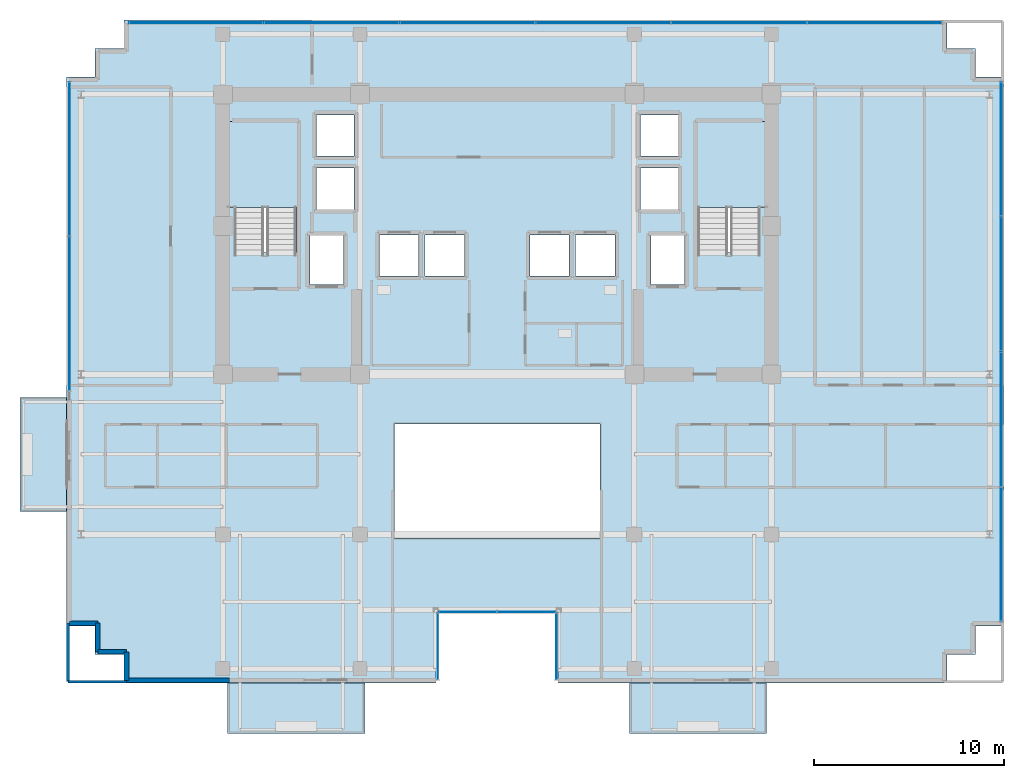
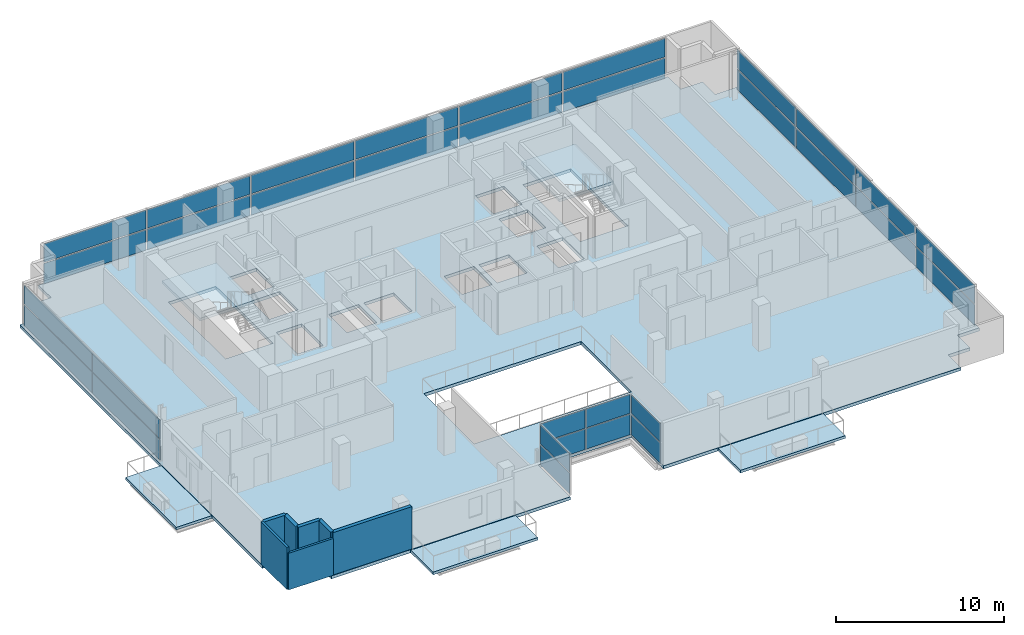
# One storey, part 14 of 21: 32 plates, 7 walls, 6 slabs, 8 elements without a shape of their own.
"""IFC4 building model written with IfcOpenShell, lengths in metres."""

from ifc_helpers import new_model, si_unit, direction, frame, frame_2d, origin, origin_2d, place, context, subcontext, project, spatial, polyline, rectangle, outline, extrude, source, transform, mapped, material, layer, layer_set, type_object, element, aggregate, save


model = new_model("IFC4")

# Units and contexts
model_context = context("Model", 3, precision=1e-05, world=origin(), true_north=direction((0.0, 1.0)))
body_context = subcontext(model_context, "Body", "Model", "MODEL_VIEW")
ifc_project = project(units=[si_unit("LENGTHUNIT", "METRE"), si_unit("AREAUNIT", "SQUARE_METRE"), si_unit("VOLUMEUNIT", "CUBIC_METRE"), si_unit("PLANEANGLEUNIT", "RADIAN"), si_unit("MASSUNIT", "GRAM", prefix="KILO")], contexts=[model_context])

# Site, building, storey
site_placement = place(None, origin())
site = spatial("IfcSite", under=ifc_project, at=site_placement, CompositionType="ELEMENT")
building_placement = place(site_placement, origin())
building = spatial("IfcBuilding", under=site, at=building_placement, Name="Zarnakvel Exchange Tower", CompositionType="ELEMENT")
storey_placement = place(building_placement, frame((0.0, 0.0, 185.800048828125)))
storey = spatial("IfcBuildingStorey", under=building, at=storey_placement, Name="L52", CompositionType="ELEMENT", Elevation=185.800048828125)

# Stair, slab
ifc_material_1 = material(Name="Concrete C40/50", Category="concrete")
stair_type = type_object("IfcStairType", Name="STR-01", PredefinedType="HALF_TURN_STAIR", material=ifc_material_1)
stair_1_placement = place(storey_placement, origin())
stair_1 = element("IfcStair", 1, at=stair_1_placement, inside=storey, type_object=stair_type, Name="L52 Protected Core Exit Stair ST-01", PredefinedType="HALF_TURN_STAIR")
ifc_layer_1 = layer(ifc_material_1, 0.199951171875)
ifc_layer_set_1 = layer_set([ifc_layer_1], Name="Concrete C40/50")
slab_type_1 = type_object("IfcSlabType", Name="LDG-01", PredefinedType="LANDING", material=ifc_layer_set_1)
slab_1_placement = place(storey_placement, frame((0.0, 0.0, 1.449951171875)))
slab_1 = element("IfcSlab", 2, at=slab_1_placement, type_object=slab_type_1, Name="ST-01 landing 1", PredefinedType="LANDING", context=body_context, shape_type="SweptSolid", body=[
    extrude(outline(polyline([(-14.18994140625, 7.570068359375), (-10.4599609375, 7.570068359375), (-10.4599609375, 12.080078125), (-14.18994140625, 12.080078125), (-14.18994140625, 7.570068359375)])), origin(), (0.0, 0.0, 1.0), 0.199951171875),
])
aggregate(stair_1, [slab_1])

stair_2_placement = place(storey_placement, origin())
stair_2 = element("IfcStair", 3, at=stair_2_placement, inside=storey, type_object=stair_type, Name="L52 Protected Core Exit Stair ST-02", PredefinedType="HALF_TURN_STAIR")
slab_2_placement = place(storey_placement, frame((0.0, 0.0, 1.449951171875)))
slab_2 = element("IfcSlab", 4, at=slab_2_placement, type_object=slab_type_1, Name="ST-02 landing 1", PredefinedType="LANDING", context=body_context, shape_type="SweptSolid", body=[
    extrude(outline(polyline([(10.4599609375, 7.570068359375), (14.18994140625, 7.570068359375), (14.18994140625, 12.080078125), (10.4599609375, 12.080078125), (10.4599609375, 7.570068359375)])), origin(), (0.0, 0.0, 1.0), 0.199951171875),
])
aggregate(stair_2, [slab_2])

# Slabs
ifc_layer_2 = layer(ifc_material_1, 0.22509765625)
ifc_layer_set_2 = layer_set([ifc_layer_2], Name="Concrete C40/50")
slab_type_2 = type_object("IfcSlabType", Name="SL-04", PredefinedType="FLOOR", material=ifc_layer_set_2)
slab_3_placement = place(storey_placement, frame((0.0, 0.0, -0.22509765625)))
element("IfcSlab", 5, at=slab_3_placement, inside=storey, type_object=slab_type_2, Name="L52 Primary Structural Floor Slab", PredefinedType="FLOOR", context=body_context, shape_type="SweptSolid", body=[
    extrude(outline(polyline([(-22.60009765625, -14.39990234375), (-21.10009765625, -14.39990234375), (-21.10009765625, -15.89990234375), (-19.60009765625, -15.89990234375), (-19.60009765625, -17.39990234375), (-3.199951171875, -17.39990234375), (-3.199951171875, -13.60009765625), (3.199951171875, -13.60009765625), (3.199951171875, -17.39990234375), (23.60009765625, -17.39990234375), (23.60009765625, -15.89990234375), (25.10009765625, -15.89990234375), (25.10009765625, -14.39990234375), (26.60009765625, -14.39990234375), (26.60009765625, 14.39990234375), (25.10009765625, 14.39990234375), (25.10009765625, 15.89990234375), (23.60009765625, 15.89990234375), (23.60009765625, 17.39990234375), (-19.60009765625, 17.39990234375), (-19.60009765625, 15.89990234375), (-21.10009765625, 15.89990234375), (-21.10009765625, 14.39990234375), (-22.60009765625, 14.39990234375), (-22.60009765625, -14.39990234375)]), holes=[polyline([(-5.39990234375, -9.800048828125), (5.39990234375, -9.800048828125), (5.39990234375, -3.800048828125), (-5.39990234375, -3.800048828125), (-5.39990234375, -9.800048828125)]), polyline([(-13.800048828125, 5.2099609375), (-10.5400390625, 5.2099609375), (-10.5400390625, 12.0), (-13.800048828125, 12.0), (-13.800048828125, 5.2099609375)]), polyline([(10.5400390625, 5.2099609375), (13.800048828125, 5.2099609375), (13.800048828125, 12.0), (10.5400390625, 12.0), (10.5400390625, 5.2099609375)]), polyline([(-9.830078125, 3.52001953125), (-8.070068359375, 3.52001953125), (-8.070068359375, 6.080078125), (-9.830078125, 6.080078125), (-9.830078125, 3.52001953125)]), polyline([(8.070068359375, 3.52001953125), (9.830078125, 3.52001953125), (9.830078125, 6.080078125), (8.070068359375, 6.080078125), (8.070068359375, 3.52001953125)]), polyline([(-6.179931640625, 3.969970703125), (-4.1201171875, 3.969970703125), (-4.1201171875, 6.1298828125), (-6.179931640625, 6.1298828125), (-6.179931640625, 3.969970703125)]), polyline([(-3.780029296875, 3.969970703125), (-1.719970703125, 3.969970703125), (-1.719970703125, 6.1298828125), (-3.780029296875, 6.1298828125), (-3.780029296875, 3.969970703125)]), polyline([(1.719970703125, 3.969970703125), (3.780029296875, 3.969970703125), (3.780029296875, 6.1298828125), (1.719970703125, 6.1298828125), (1.719970703125, 3.969970703125)]), polyline([(4.1201171875, 3.969970703125), (6.179931640625, 3.969970703125), (6.179931640625, 6.1298828125), (4.1201171875, 6.1298828125), (4.1201171875, 3.969970703125)]), polyline([(-9.47998046875, 7.469970703125), (-7.52001953125, 7.469970703125), (-7.52001953125, 9.6298828125), (-9.47998046875, 9.6298828125), (-9.47998046875, 7.469970703125)]), polyline([(-9.47998046875, 10.27001953125), (-7.52001953125, 10.27001953125), (-7.52001953125, 12.429931640625), (-9.47998046875, 12.429931640625), (-9.47998046875, 10.27001953125)]), polyline([(7.52001953125, 7.469970703125), (9.47998046875, 7.469970703125), (9.47998046875, 9.6298828125), (7.52001953125, 9.6298828125), (7.52001953125, 7.469970703125)]), polyline([(7.52001953125, 10.27001953125), (9.47998046875, 10.27001953125), (9.47998046875, 12.429931640625), (7.52001953125, 12.429931640625), (7.52001953125, 10.27001953125)])]), origin(), (0.0, 0.0, 1.0), 0.22509765625),
])
ifc_layer_3 = layer(ifc_material_1, 0.18994140625)
ifc_layer_set_3 = layer_set([ifc_layer_3], Name="Concrete C40/50")
slab_type_3 = type_object("IfcSlabType", Name="SL-08", PredefinedType="USERDEFINED", material=ifc_layer_set_3)
slab_4_placement = place(storey_placement, frame((0.0, 0.0, -0.22509765625)))
element("IfcSlab", 6, at=slab_4_placement, inside=storey, type_object=slab_type_3, Name="L52 Planted Loggia Balcony Slab BAL-L52-SW", ObjectType="BALCONY", PredefinedType="USERDEFINED", context=body_context, shape_type="SweptSolid", body=[
    extrude(outline(polyline([(-14.14990234375, -20.050048828125), (-6.949951171875, -20.050048828125), (-6.949951171875, -17.39990234375), (-14.14990234375, -17.39990234375), (-14.14990234375, -20.050048828125)])), origin(), (0.0, 0.0, 1.0), 0.18994140625),
])
slab_5_placement = place(storey_placement, frame((0.0, 0.0, -0.22509765625)))
element("IfcSlab", 7, at=slab_5_placement, inside=storey, type_object=slab_type_3, Name="L52 Planted Loggia Balcony Slab BAL-L52-SE", ObjectType="BALCONY", PredefinedType="USERDEFINED", context=body_context, shape_type="SweptSolid", body=[
    extrude(outline(polyline([(6.949951171875, -20.050048828125), (14.14990234375, -20.050048828125), (14.14990234375, -17.39990234375), (6.949951171875, -17.39990234375), (6.949951171875, -20.050048828125)])), origin(), (0.0, 0.0, 1.0), 0.18994140625),
])
slab_6_placement = place(storey_placement, frame((0.0, 0.0, -0.22509765625)))
element("IfcSlab", 8, at=slab_6_placement, inside=storey, type_object=slab_type_3, Name="L52 Planted Loggia Balcony Slab BAL-L52-W", ObjectType="BALCONY", PredefinedType="USERDEFINED", context=body_context, shape_type="SweptSolid", body=[
    extrude(outline(polyline([(-25.050048828125, -8.39990234375), (-22.60009765625, -8.39990234375), (-22.60009765625, -2.39990234375), (-25.050048828125, -2.39990234375), (-25.050048828125, -8.39990234375)])), origin(), (0.0, 0.0, 1.0), 0.18994140625),
])

# Curtain wall, plate
ifc_material_2 = material(Name="Architectural Bronze Anodised Aluminium", Category="aluminium")
ifc_layer_4 = layer(ifc_material_2, 0.179931640625)
ifc_layer_set_4 = layer_set([ifc_layer_4], Name="Architectural Bronze Anodised Aluminium")
curtain_wall_type_1 = type_object("IfcCurtainWallType", Name="CW-05", PredefinedType="NOTDEFINED", material=ifc_layer_set_4)
curtain_wall_1_placement = place(storey_placement, origin())
curtain_wall_1 = element("IfcCurtainWall", 9, at=curtain_wall_1_placement, inside=storey, type_object=curtain_wall_type_1, Name="L52 Curtain Wall CW-L52-SLW (CW-05)", PredefinedType="NOTDEFINED")
ifc_material_3 = material(Name="Double Low-E Laminated Vision Glass", Category="glass")
ifc_layer_5 = layer(ifc_material_3, 0.02587890625)
ifc_layer_set_5 = layer_set([ifc_layer_5], Name="Double Low-E Laminated Vision Glass")
plate_type_1 = type_object("IfcPlateType", Name="CWP-05", PredefinedType="CURTAIN_PANEL", material=ifc_layer_set_5)
shared_shape_1 = source(origin(), body_context, "Body", "SweptSolid", [
    extrude(rectangle(XDim=3.4599609375, YDim=0.02587890625, at=origin_2d()), origin(), (0.0, 0.0, 1.0), 1.483642578125),
])
plate_1_placement = place(storey_placement, frame((-3.1201171875, -15.47998046875, 0.06982421875), z_axis=(0.0, 0.0, 1.0), x_axis=(0.0, 1.0, 0.0)))
plate_1 = element("IfcPlate", 10, at=plate_1_placement, type_object=plate_type_1, Name="CW-05 panel 1.1", PredefinedType="CURTAIN_PANEL", context=body_context, shape_type="MappedRepresentation", body=[
    mapped(shared_shape_1, transform((0.0, 0.0, 0.0), x_axis=(1.0, 0.0, 0.0), y_axis=(0.0, 1.0, 0.0), z_axis=(0.0, 0.0, 1.0), scale=1.0)),
])

curtain_wall_2_placement = place(storey_placement, origin())
curtain_wall_2 = element("IfcCurtainWall", 11, at=curtain_wall_2_placement, inside=storey, type_object=curtain_wall_type_1, Name="L52 Curtain Wall CW-L52-SLE (CW-05)", PredefinedType="NOTDEFINED")
plate_2_placement = place(storey_placement, frame((3.1201171875, -15.47998046875, 0.06982421875), z_axis=(0.0, 0.0, 1.0), x_axis=(0.0, -1.0, 0.0)))
plate_2 = element("IfcPlate", 12, at=plate_2_placement, type_object=plate_type_1, Name="CW-05 panel 1.1", PredefinedType="CURTAIN_PANEL", context=body_context, shape_type="MappedRepresentation", body=[
    mapped(shared_shape_1, transform((0.0, 0.0, 0.0), x_axis=(1.0, 0.0, 0.0), y_axis=(0.0, 1.0, 0.0), z_axis=(0.0, 0.0, 1.0), scale=1.0)),
])

# Plate
shared_shape_2 = source(origin(), body_context, "Body", "SweptSolid", [
    extrude(rectangle(XDim=3.4599609375, YDim=0.02587890625, at=origin_2d()), origin(), (0.0, 0.0, 1.0), 1.361328125),
])
plate_3_placement = place(storey_placement, frame((-3.1201171875, -15.47998046875, 1.62353515625), z_axis=(0.0, 0.0, 1.0), x_axis=(0.0, 1.0, 0.0)))
plate_3 = element("IfcPlate", 13, at=plate_3_placement, type_object=plate_type_1, Name="CW-05 panel 1.2", PredefinedType="CURTAIN_PANEL", context=body_context, shape_type="MappedRepresentation", body=[
    mapped(shared_shape_2, transform((0.0, 0.0, 0.0), x_axis=(1.0, 0.0, 0.0), y_axis=(0.0, 1.0, 0.0), z_axis=(0.0, 0.0, 1.0), scale=1.0)),
])

aggregate(curtain_wall_1, [plate_1, plate_3])

plate_4_placement = place(storey_placement, frame((3.1201171875, -15.47998046875, 1.62353515625), z_axis=(0.0, 0.0, 1.0), x_axis=(0.0, -1.0, 0.0)))
plate_4 = element("IfcPlate", 14, at=plate_4_placement, type_object=plate_type_1, Name="CW-05 panel 1.2", PredefinedType="CURTAIN_PANEL", context=body_context, shape_type="MappedRepresentation", body=[
    mapped(shared_shape_2, transform((0.0, 0.0, 0.0), x_axis=(1.0, 0.0, 0.0), y_axis=(0.0, 1.0, 0.0), z_axis=(0.0, 0.0, 1.0), scale=1.0)),
])

aggregate(curtain_wall_2, [plate_2, plate_4])

# Curtain wall, plates
curtain_wall_3_placement = place(storey_placement, origin())
curtain_wall_3 = element("IfcCurtainWall", 15, at=curtain_wall_3_placement, inside=storey, type_object=curtain_wall_type_1, Name="L52 Curtain Wall CW-L52-SLB (CW-05)", PredefinedType="NOTDEFINED")
shared_shape_3 = source(origin(), body_context, "Body", "SweptSolid", [
    extrude(rectangle(XDim=3.014892578125, YDim=0.02587890625, at=origin_2d()), origin(), (0.0, 0.0, 1.0), 1.483642578125),
])
plate_5_placement = place(storey_placement, frame((-1.54248046875, -13.679931640625, 0.06982421875), z_axis=(0.0, 0.0, 1.0), x_axis=(1.0, 0.0, 0.0)))
plate_5 = element("IfcPlate", 16, at=plate_5_placement, type_object=plate_type_1, Name="CW-05 panel 1.1", PredefinedType="CURTAIN_PANEL", context=body_context, shape_type="MappedRepresentation", body=[
    mapped(shared_shape_3, transform((0.0, 0.0, 0.0), x_axis=(1.0, 0.0, 0.0), y_axis=(0.0, 1.0, 0.0), z_axis=(0.0, 0.0, 1.0), scale=1.0)),
])
plate_6_placement = place(storey_placement, frame((1.54248046875, -13.679931640625, 0.06982421875), z_axis=(0.0, 0.0, 1.0), x_axis=(1.0, 0.0, 0.0)))
plate_6 = element("IfcPlate", 17, at=plate_6_placement, type_object=plate_type_1, Name="CW-05 panel 2.1", PredefinedType="CURTAIN_PANEL", context=body_context, shape_type="MappedRepresentation", body=[
    mapped(shared_shape_3, transform((0.0, 0.0, 0.0), x_axis=(1.0, 0.0, 0.0), y_axis=(0.0, 1.0, 0.0), z_axis=(0.0, 0.0, 1.0), scale=1.0)),
])
shared_shape_4 = source(origin(), body_context, "Body", "SweptSolid", [
    extrude(rectangle(XDim=3.014892578125, YDim=0.02587890625, at=origin_2d()), origin(), (0.0, 0.0, 1.0), 1.361328125),
])
plate_7_placement = place(storey_placement, frame((-1.54248046875, -13.679931640625, 1.62353515625), z_axis=(0.0, 0.0, 1.0), x_axis=(1.0, 0.0, 0.0)))
plate_7 = element("IfcPlate", 18, at=plate_7_placement, type_object=plate_type_1, Name="CW-05 panel 1.2", PredefinedType="CURTAIN_PANEL", context=body_context, shape_type="MappedRepresentation", body=[
    mapped(shared_shape_4, transform((0.0, 0.0, 0.0), x_axis=(1.0, 0.0, 0.0), y_axis=(0.0, 1.0, 0.0), z_axis=(0.0, 0.0, 1.0), scale=1.0)),
])
plate_8_placement = place(storey_placement, frame((1.54248046875, -13.679931640625, 1.62353515625), z_axis=(0.0, 0.0, 1.0), x_axis=(1.0, 0.0, 0.0)))
plate_8 = element("IfcPlate", 19, at=plate_8_placement, type_object=plate_type_1, Name="CW-05 panel 2.2", PredefinedType="CURTAIN_PANEL", context=body_context, shape_type="MappedRepresentation", body=[
    mapped(shared_shape_4, transform((0.0, 0.0, 0.0), x_axis=(1.0, 0.0, 0.0), y_axis=(0.0, 1.0, 0.0), z_axis=(0.0, 0.0, 1.0), scale=1.0)),
])
aggregate(curtain_wall_3, [plate_5, plate_7, plate_6, plate_8])

ifc_layer_6 = layer(ifc_material_2, 0.219970703125)
ifc_layer_set_6 = layer_set([ifc_layer_6], Name="Architectural Bronze Anodised Aluminium")
curtain_wall_type_2 = type_object("IfcCurtainWallType", Name="CW-03", PredefinedType="NOTDEFINED", material=ifc_layer_set_6)
curtain_wall_4_placement = place(storey_placement, origin())
curtain_wall_4 = element("IfcCurtainWall", 20, at=curtain_wall_4_placement, inside=storey, type_object=curtain_wall_type_2, Name="L52 Curtain Wall CW-L52-N1 (CW-03)", PredefinedType="NOTDEFINED")
ifc_layer_7 = layer(ifc_material_3, 0.030029296875)
ifc_layer_set_7 = layer_set([ifc_layer_7], Name="Double Low-E Laminated Vision Glass")
plate_type_2 = type_object("IfcPlateType", Name="CWP-03", PredefinedType="CURTAIN_PANEL", material=ifc_layer_set_7)
shared_shape_5 = source(origin(), body_context, "Body", "SweptSolid", [
    extrude(rectangle(XDim=7.013427734375, YDim=0.030029296875, at=origin_2d()), origin(), (0.0, 0.0, 1.0), 1.468505859375),
])
plate_9_placement = place(storey_placement, frame((-15.813232421875, 17.260009765625, 0.080078125), z_axis=(0.0, 0.0, 1.0), x_axis=(1.0, 0.0, 0.0)))
plate_9 = element("IfcPlate", 21, at=plate_9_placement, type_object=plate_type_2, Name="CW-03 panel 1.1", PredefinedType="CURTAIN_PANEL", context=body_context, shape_type="MappedRepresentation", body=[
    mapped(shared_shape_5, transform((0.0, 0.0, 0.0), x_axis=(1.0, 0.0, 0.0), y_axis=(0.0, 1.0, 0.0), z_axis=(0.0, 0.0, 1.0), scale=1.0)),
])
plate_10_placement = place(storey_placement, frame((19.813232421875, 17.260009765625, 0.080078125), z_axis=(0.0, 0.0, 1.0), x_axis=(1.0, 0.0, 0.0)))
plate_10 = element("IfcPlate", 22, at=plate_10_placement, type_object=plate_type_2, Name="CW-03 panel 6.1", PredefinedType="CURTAIN_PANEL", context=body_context, shape_type="MappedRepresentation", body=[
    mapped(shared_shape_5, transform((0.0, 0.0, 0.0), x_axis=(1.0, 0.0, 0.0), y_axis=(0.0, 1.0, 0.0), z_axis=(0.0, 0.0, 1.0), scale=1.0)),
])
shared_shape_6 = source(origin(), body_context, "Body", "SweptSolid", [
    extrude(rectangle(XDim=7.013427734375, YDim=0.030029296875, at=origin_2d()), origin(), (0.0, 0.0, 1.0), 1.346435546875),
])
plate_11_placement = place(storey_placement, frame((-15.813232421875, 17.260009765625, 1.62841796875), z_axis=(0.0, 0.0, 1.0), x_axis=(1.0, 0.0, 0.0)))
plate_11 = element("IfcPlate", 23, at=plate_11_placement, type_object=plate_type_2, Name="CW-03 panel 1.2", PredefinedType="CURTAIN_PANEL", context=body_context, shape_type="MappedRepresentation", body=[
    mapped(shared_shape_6, transform((0.0, 0.0, 0.0), x_axis=(1.0, 0.0, 0.0), y_axis=(0.0, 1.0, 0.0), z_axis=(0.0, 0.0, 1.0), scale=1.0)),
])
plate_12_placement = place(storey_placement, frame((19.813232421875, 17.260009765625, 1.62841796875), z_axis=(0.0, 0.0, 1.0), x_axis=(1.0, 0.0, 0.0)))
plate_12 = element("IfcPlate", 24, at=plate_12_placement, type_object=plate_type_2, Name="CW-03 panel 6.2", PredefinedType="CURTAIN_PANEL", context=body_context, shape_type="MappedRepresentation", body=[
    mapped(shared_shape_6, transform((0.0, 0.0, 0.0), x_axis=(1.0, 0.0, 0.0), y_axis=(0.0, 1.0, 0.0), z_axis=(0.0, 0.0, 1.0), scale=1.0)),
])
shared_shape_7 = source(origin(), body_context, "Body", "SweptSolid", [
    extrude(rectangle(XDim=7.05322265625, YDim=0.030029296875, at=origin_2d()), origin(), (0.0, 0.0, 1.0), 1.468505859375),
])
plate_13_placement = place(storey_placement, frame((-8.699951171875, 17.260009765625, 0.080078125), z_axis=(0.0, 0.0, 1.0), x_axis=(1.0, 0.0, 0.0)))
plate_13 = element("IfcPlate", 25, at=plate_13_placement, type_object=plate_type_2, Name="CW-03 panel 2.1", PredefinedType="CURTAIN_PANEL", context=body_context, shape_type="MappedRepresentation", body=[
    mapped(shared_shape_7, transform((0.0, 0.0, 0.0), x_axis=(1.0, 0.0, 0.0), y_axis=(0.0, 1.0, 0.0), z_axis=(0.0, 0.0, 1.0), scale=1.0)),
])
plate_14_placement = place(storey_placement, frame((-1.566650390625, 17.260009765625, 0.080078125), z_axis=(0.0, 0.0, 1.0), x_axis=(1.0, 0.0, 0.0)))
plate_14 = element("IfcPlate", 26, at=plate_14_placement, type_object=plate_type_2, Name="CW-03 panel 3.1", PredefinedType="CURTAIN_PANEL", context=body_context, shape_type="MappedRepresentation", body=[
    mapped(shared_shape_7, transform((0.0, 0.0, 0.0), x_axis=(1.0, 0.0, 0.0), y_axis=(0.0, 1.0, 0.0), z_axis=(0.0, 0.0, 1.0), scale=1.0)),
])
plate_15_placement = place(storey_placement, frame((5.566650390625, 17.260009765625, 0.080078125), z_axis=(0.0, 0.0, 1.0), x_axis=(1.0, 0.0, 0.0)))
plate_15 = element("IfcPlate", 27, at=plate_15_placement, type_object=plate_type_2, Name="CW-03 panel 4.1", PredefinedType="CURTAIN_PANEL", context=body_context, shape_type="MappedRepresentation", body=[
    mapped(shared_shape_7, transform((0.0, 0.0, 0.0), x_axis=(1.0, 0.0, 0.0), y_axis=(0.0, 1.0, 0.0), z_axis=(0.0, 0.0, 1.0), scale=1.0)),
])
plate_16_placement = place(storey_placement, frame((12.699951171875, 17.260009765625, 0.080078125), z_axis=(0.0, 0.0, 1.0), x_axis=(1.0, 0.0, 0.0)))
plate_16 = element("IfcPlate", 28, at=plate_16_placement, type_object=plate_type_2, Name="CW-03 panel 5.1", PredefinedType="CURTAIN_PANEL", context=body_context, shape_type="MappedRepresentation", body=[
    mapped(shared_shape_7, transform((0.0, 0.0, 0.0), x_axis=(1.0, 0.0, 0.0), y_axis=(0.0, 1.0, 0.0), z_axis=(0.0, 0.0, 1.0), scale=1.0)),
])
shared_shape_8 = source(origin(), body_context, "Body", "SweptSolid", [
    extrude(rectangle(XDim=7.05322265625, YDim=0.030029296875, at=origin_2d()), origin(), (0.0, 0.0, 1.0), 1.346435546875),
])
plate_17_placement = place(storey_placement, frame((-8.699951171875, 17.260009765625, 1.62841796875), z_axis=(0.0, 0.0, 1.0), x_axis=(1.0, 0.0, 0.0)))
plate_17 = element("IfcPlate", 29, at=plate_17_placement, type_object=plate_type_2, Name="CW-03 panel 2.2", PredefinedType="CURTAIN_PANEL", context=body_context, shape_type="MappedRepresentation", body=[
    mapped(shared_shape_8, transform((0.0, 0.0, 0.0), x_axis=(1.0, 0.0, 0.0), y_axis=(0.0, 1.0, 0.0), z_axis=(0.0, 0.0, 1.0), scale=1.0)),
])
plate_18_placement = place(storey_placement, frame((-1.566650390625, 17.260009765625, 1.62841796875), z_axis=(0.0, 0.0, 1.0), x_axis=(1.0, 0.0, 0.0)))
plate_18 = element("IfcPlate", 30, at=plate_18_placement, type_object=plate_type_2, Name="CW-03 panel 3.2", PredefinedType="CURTAIN_PANEL", context=body_context, shape_type="MappedRepresentation", body=[
    mapped(shared_shape_8, transform((0.0, 0.0, 0.0), x_axis=(1.0, 0.0, 0.0), y_axis=(0.0, 1.0, 0.0), z_axis=(0.0, 0.0, 1.0), scale=1.0)),
])
plate_19_placement = place(storey_placement, frame((5.566650390625, 17.260009765625, 1.62841796875), z_axis=(0.0, 0.0, 1.0), x_axis=(1.0, 0.0, 0.0)))
plate_19 = element("IfcPlate", 31, at=plate_19_placement, type_object=plate_type_2, Name="CW-03 panel 4.2", PredefinedType="CURTAIN_PANEL", context=body_context, shape_type="MappedRepresentation", body=[
    mapped(shared_shape_8, transform((0.0, 0.0, 0.0), x_axis=(1.0, 0.0, 0.0), y_axis=(0.0, 1.0, 0.0), z_axis=(0.0, 0.0, 1.0), scale=1.0)),
])
plate_20_placement = place(storey_placement, frame((12.699951171875, 17.260009765625, 1.62841796875), z_axis=(0.0, 0.0, 1.0), x_axis=(1.0, 0.0, 0.0)))
plate_20 = element("IfcPlate", 32, at=plate_20_placement, type_object=plate_type_2, Name="CW-03 panel 5.2", PredefinedType="CURTAIN_PANEL", context=body_context, shape_type="MappedRepresentation", body=[
    mapped(shared_shape_8, transform((0.0, 0.0, 0.0), x_axis=(1.0, 0.0, 0.0), y_axis=(0.0, 1.0, 0.0), z_axis=(0.0, 0.0, 1.0), scale=1.0)),
])
aggregate(curtain_wall_4, [plate_9, plate_11, plate_13, plate_17, plate_14, plate_18, plate_15, plate_19, plate_16, plate_20, plate_10, plate_12])

ifc_layer_8 = layer(ifc_material_2, 0.199951171875)
ifc_layer_set_8 = layer_set([ifc_layer_8], Name="Architectural Bronze Anodised Aluminium")
curtain_wall_type_3 = type_object("IfcCurtainWallType", Name="CW-04", PredefinedType="NOTDEFINED", material=ifc_layer_set_8)
curtain_wall_5_placement = place(storey_placement, origin())
curtain_wall_5 = element("IfcCurtainWall", 33, at=curtain_wall_5_placement, inside=storey, type_object=curtain_wall_type_3, Name="L52 Curtain Wall CW-L52-WN (CW-04)", PredefinedType="NOTDEFINED")
ifc_layer_9 = layer(ifc_material_3, 0.028076171875)
ifc_layer_set_9 = layer_set([ifc_layer_9], Name="Double Low-E Laminated Vision Glass")
plate_type_3 = type_object("IfcPlateType", Name="CWP-04", PredefinedType="CURTAIN_PANEL", material=ifc_layer_set_9)
shared_shape_9 = source(origin(), body_context, "Body", "SweptSolid", [
    extrude(rectangle(XDim=8.03759765625, YDim=0.028076171875, at=origin_2d()), origin(), (0.0, 0.0, 1.0), 1.47607421875),
])
plate_21_placement = place(storey_placement, frame((-22.4599609375, 1.99365234375, 0.074951171875), z_axis=(0.0, 0.0, 1.0), x_axis=(0.0, 1.0, 0.0)))
plate_21 = element("IfcPlate", 34, at=plate_21_placement, type_object=plate_type_3, Name="CW-04 panel 1.1", PredefinedType="CURTAIN_PANEL", context=body_context, shape_type="MappedRepresentation", body=[
    mapped(shared_shape_9, transform((0.0, 0.0, 0.0), x_axis=(1.0, 0.0, 0.0), y_axis=(0.0, 1.0, 0.0), z_axis=(0.0, 0.0, 1.0), scale=1.0)),
])
plate_22_placement = place(storey_placement, frame((-22.4599609375, 10.106201171875, 0.074951171875), z_axis=(0.0, 0.0, 1.0), x_axis=(0.0, 1.0, 0.0)))
plate_22 = element("IfcPlate", 35, at=plate_22_placement, type_object=plate_type_3, Name="CW-04 panel 2.1", PredefinedType="CURTAIN_PANEL", context=body_context, shape_type="MappedRepresentation", body=[
    mapped(shared_shape_9, transform((0.0, 0.0, 0.0), x_axis=(1.0, 0.0, 0.0), y_axis=(0.0, 1.0, 0.0), z_axis=(0.0, 0.0, 1.0), scale=1.0)),
])
shared_shape_10 = source(origin(), body_context, "Body", "SweptSolid", [
    extrude(rectangle(XDim=8.03759765625, YDim=0.028076171875, at=origin_2d()), origin(), (0.0, 0.0, 1.0), 1.35400390625),
])
plate_23_placement = place(storey_placement, frame((-22.4599609375, 1.99365234375, 1.6259765625), z_axis=(0.0, 0.0, 1.0), x_axis=(0.0, 1.0, 0.0)))
plate_23 = element("IfcPlate", 36, at=plate_23_placement, type_object=plate_type_3, Name="CW-04 panel 1.2", PredefinedType="CURTAIN_PANEL", context=body_context, shape_type="MappedRepresentation", body=[
    mapped(shared_shape_10, transform((0.0, 0.0, 0.0), x_axis=(1.0, 0.0, 0.0), y_axis=(0.0, 1.0, 0.0), z_axis=(0.0, 0.0, 1.0), scale=1.0)),
])
plate_24_placement = place(storey_placement, frame((-22.4599609375, 10.106201171875, 1.6259765625), z_axis=(0.0, 0.0, 1.0), x_axis=(0.0, 1.0, 0.0)))
plate_24 = element("IfcPlate", 37, at=plate_24_placement, type_object=plate_type_3, Name="CW-04 panel 2.2", PredefinedType="CURTAIN_PANEL", context=body_context, shape_type="MappedRepresentation", body=[
    mapped(shared_shape_10, transform((0.0, 0.0, 0.0), x_axis=(1.0, 0.0, 0.0), y_axis=(0.0, 1.0, 0.0), z_axis=(0.0, 0.0, 1.0), scale=1.0)),
])
aggregate(curtain_wall_5, [plate_21, plate_23, plate_22, plate_24])

curtain_wall_6_placement = place(storey_placement, origin())
curtain_wall_6 = element("IfcCurtainWall", 38, at=curtain_wall_6_placement, inside=storey, type_object=curtain_wall_type_3, Name="L52 Curtain Wall CW-L52-E1 (CW-04)", PredefinedType="NOTDEFINED")
shared_shape_11 = source(origin(), body_context, "Body", "SweptSolid", [
    extrude(rectangle(XDim=6.987548828125, YDim=0.028076171875, at=origin_2d()), origin(), (0.0, 0.0, 1.0), 1.47607421875),
])
plate_25_placement = place(storey_placement, frame((26.4599609375, -10.63134765625, 0.074951171875), z_axis=(0.0, 0.0, 1.0), x_axis=(0.0, 1.0, 0.0)))
plate_25 = element("IfcPlate", 39, at=plate_25_placement, type_object=plate_type_3, Name="CW-04 panel 1.1", PredefinedType="CURTAIN_PANEL", context=body_context, shape_type="MappedRepresentation", body=[
    mapped(shared_shape_11, transform((0.0, 0.0, 0.0), x_axis=(1.0, 0.0, 0.0), y_axis=(0.0, 1.0, 0.0), z_axis=(0.0, 0.0, 1.0), scale=1.0)),
])
plate_26_placement = place(storey_placement, frame((26.4599609375, 10.63134765625, 0.074951171875), z_axis=(0.0, 0.0, 1.0), x_axis=(0.0, 1.0, 0.0)))
plate_26 = element("IfcPlate", 40, at=plate_26_placement, type_object=plate_type_3, Name="CW-04 panel 4.1", PredefinedType="CURTAIN_PANEL", context=body_context, shape_type="MappedRepresentation", body=[
    mapped(shared_shape_11, transform((0.0, 0.0, 0.0), x_axis=(1.0, 0.0, 0.0), y_axis=(0.0, 1.0, 0.0), z_axis=(0.0, 0.0, 1.0), scale=1.0)),
])
shared_shape_12 = source(origin(), body_context, "Body", "SweptSolid", [
    extrude(rectangle(XDim=6.987548828125, YDim=0.028076171875, at=origin_2d()), origin(), (0.0, 0.0, 1.0), 1.35400390625),
])
plate_27_placement = place(storey_placement, frame((26.4599609375, -10.63134765625, 1.6259765625), z_axis=(0.0, 0.0, 1.0), x_axis=(0.0, 1.0, 0.0)))
plate_27 = element("IfcPlate", 41, at=plate_27_placement, type_object=plate_type_3, Name="CW-04 panel 1.2", PredefinedType="CURTAIN_PANEL", context=body_context, shape_type="MappedRepresentation", body=[
    mapped(shared_shape_12, transform((0.0, 0.0, 0.0), x_axis=(1.0, 0.0, 0.0), y_axis=(0.0, 1.0, 0.0), z_axis=(0.0, 0.0, 1.0), scale=1.0)),
])
plate_28_placement = place(storey_placement, frame((26.4599609375, 10.63134765625, 1.6259765625), z_axis=(0.0, 0.0, 1.0), x_axis=(0.0, 1.0, 0.0)))
plate_28 = element("IfcPlate", 42, at=plate_28_placement, type_object=plate_type_3, Name="CW-04 panel 4.2", PredefinedType="CURTAIN_PANEL", context=body_context, shape_type="MappedRepresentation", body=[
    mapped(shared_shape_12, transform((0.0, 0.0, 0.0), x_axis=(1.0, 0.0, 0.0), y_axis=(0.0, 1.0, 0.0), z_axis=(0.0, 0.0, 1.0), scale=1.0)),
])
shared_shape_13 = source(origin(), body_context, "Body", "SweptSolid", [
    extrude(rectangle(XDim=7.02490234375, YDim=0.028076171875, at=origin_2d()), origin(), (0.0, 0.0, 1.0), 1.47607421875),
])
plate_29_placement = place(storey_placement, frame((26.4599609375, -3.550048828125, 0.074951171875), z_axis=(0.0, 0.0, 1.0), x_axis=(0.0, 1.0, 0.0)))
plate_29 = element("IfcPlate", 43, at=plate_29_placement, type_object=plate_type_3, Name="CW-04 panel 2.1", PredefinedType="CURTAIN_PANEL", context=body_context, shape_type="MappedRepresentation", body=[
    mapped(shared_shape_13, transform((0.0, 0.0, 0.0), x_axis=(1.0, 0.0, 0.0), y_axis=(0.0, 1.0, 0.0), z_axis=(0.0, 0.0, 1.0), scale=1.0)),
])
plate_30_placement = place(storey_placement, frame((26.4599609375, 3.550048828125, 0.074951171875), z_axis=(0.0, 0.0, 1.0), x_axis=(0.0, 1.0, 0.0)))
plate_30 = element("IfcPlate", 44, at=plate_30_placement, type_object=plate_type_3, Name="CW-04 panel 3.1", PredefinedType="CURTAIN_PANEL", context=body_context, shape_type="MappedRepresentation", body=[
    mapped(shared_shape_13, transform((0.0, 0.0, 0.0), x_axis=(1.0, 0.0, 0.0), y_axis=(0.0, 1.0, 0.0), z_axis=(0.0, 0.0, 1.0), scale=1.0)),
])
shared_shape_14 = source(origin(), body_context, "Body", "SweptSolid", [
    extrude(rectangle(XDim=7.02490234375, YDim=0.028076171875, at=origin_2d()), origin(), (0.0, 0.0, 1.0), 1.35400390625),
])
plate_31_placement = place(storey_placement, frame((26.4599609375, -3.550048828125, 1.6259765625), z_axis=(0.0, 0.0, 1.0), x_axis=(0.0, 1.0, 0.0)))
plate_31 = element("IfcPlate", 45, at=plate_31_placement, type_object=plate_type_3, Name="CW-04 panel 2.2", PredefinedType="CURTAIN_PANEL", context=body_context, shape_type="MappedRepresentation", body=[
    mapped(shared_shape_14, transform((0.0, 0.0, 0.0), x_axis=(1.0, 0.0, 0.0), y_axis=(0.0, 1.0, 0.0), z_axis=(0.0, 0.0, 1.0), scale=1.0)),
])
plate_32_placement = place(storey_placement, frame((26.4599609375, 3.550048828125, 1.6259765625), z_axis=(0.0, 0.0, 1.0), x_axis=(0.0, 1.0, 0.0)))
plate_32 = element("IfcPlate", 46, at=plate_32_placement, type_object=plate_type_3, Name="CW-04 panel 3.2", PredefinedType="CURTAIN_PANEL", context=body_context, shape_type="MappedRepresentation", body=[
    mapped(shared_shape_14, transform((0.0, 0.0, 0.0), x_axis=(1.0, 0.0, 0.0), y_axis=(0.0, 1.0, 0.0), z_axis=(0.0, 0.0, 1.0), scale=1.0)),
])
aggregate(curtain_wall_6, [plate_25, plate_27, plate_29, plate_31, plate_30, plate_32, plate_26, plate_28])

# Walls
ifc_material_4 = material(Name="Precast concrete C40/50", Category="concrete")
ifc_layer_10 = layer(ifc_material_4, 0.239990234375)
ifc_layer_set_10 = layer_set([ifc_layer_10], Name="Precast concrete C40/50")
wall_type_1 = type_object("IfcWallType", Name="EW-02", PredefinedType="SOLIDWALL", material=ifc_layer_set_10)
wall_1_placement = place(storey_placement, frame((-19.4599609375, -17.260009765625, 0.0), z_axis=(0.0, 0.0, 1.0), x_axis=(1.0, 0.0, 0.0)))
element("IfcWall", 47, at=wall_1_placement, inside=storey, type_object=wall_type_1, Name="L52 Exterior Precast Spandrel Wall EWC-L52-22 (EW-02)", PredefinedType="SOLIDWALL", context=body_context, shape_type="SweptSolid", body=[
    extrude(rectangle(XDim=5.409912109375, YDim=0.239990234375, at=frame_2d((2.705078125, 0.0))), origin(), (0.0, 0.0, 1.0), 3.074951171875),
])
for number, where, z_axis, x_axis, name in (
    (48, (-19.4599609375, -15.760009765625, 0.0), (0.0, 0.0, 1.0), (0.0, -1.0, 0.0), "L52 Exterior Precast Spandrel Wall EWC-L52-23 (EW-02)"),
    (49, (-20.9599609375, -15.760009765625, 0.0), (0.0, 0.0, 1.0), (1.0, 0.0, 0.0), "L52 Exterior Precast Spandrel Wall EWC-L52-24 (EW-02)"),
    (50, (-20.9599609375, -14.260009765625, 0.0), (0.0, 0.0, 1.0), (0.0, -1.0, 0.0), "L52 Exterior Precast Spandrel Wall EWC-L52-25 (EW-02)"),
    (51, (-22.4599609375, -14.260009765625, 0.0), (0.0, 0.0, 1.0), (1.0, 0.0, 0.0), "L52 Exterior Precast Spandrel Wall EWC-L52-26 (EW-02)"),
):
    element("IfcWall", number, at=place(storey_placement, frame(where, z_axis=z_axis, x_axis=x_axis)), inside=storey, type_object=wall_type_1, Name=name, PredefinedType="SOLIDWALL", context=body_context, shape_type="SweptSolid", body=[
        extrude(rectangle(XDim=1.5, YDim=0.239990234375, at=frame_2d((0.75, 0.0))), origin(), (0.0, 0.0, 1.0), 3.074951171875),
    ])
ifc_material_5 = material(Name="Fire-Rated Gypsum Stud Partition", Category="gypsum")
ifc_layer_11 = layer(ifc_material_5, 0.14990234375)
ifc_layer_set_11 = layer_set([ifc_layer_11], Name="Fire-Rated Gypsum Stud Partition")
wall_type_2 = type_object("IfcWallType", Name="PT-01", PredefinedType="PARTITIONING", material=ifc_layer_set_11)
wall_2_placement = place(storey_placement, frame((-19.4599609375, -17.330078125, 0.0), z_axis=(0.0, 0.0, 1.0), x_axis=(-1.0, 0.0, 0.0)))
element("IfcWall", 52, at=wall_2_placement, inside=storey, type_object=wall_type_2, Name="L52 Partition Wall PWALL-L52-035 (PT-01)", PredefinedType="PARTITIONING", context=body_context, shape_type="SweptSolid", body=[
    extrude(rectangle(XDim=3.070068359375, YDim=0.14990234375, at=frame_2d((1.53515625, 0.0))), origin(), (0.0, 0.0, 1.0), 2.6650390625),
])
wall_3_placement = place(storey_placement, frame((-22.530029296875, -17.330078125, 0.0), z_axis=(0.0, 0.0, 1.0), x_axis=(0.0, 1.0, 0.0)))
element("IfcWall", 53, at=wall_3_placement, inside=storey, type_object=wall_type_2, Name="L52 Partition Wall PWALL-L52-036 (PT-01)", PredefinedType="PARTITIONING", context=body_context, shape_type="SweptSolid", body=[
    extrude(rectangle(XDim=3.070068359375, YDim=0.14990234375, at=frame_2d((1.53515625, 0.0))), origin(), (0.0, 0.0, 1.0), 3.074951171875),
])

save(model, "model.ifc")
